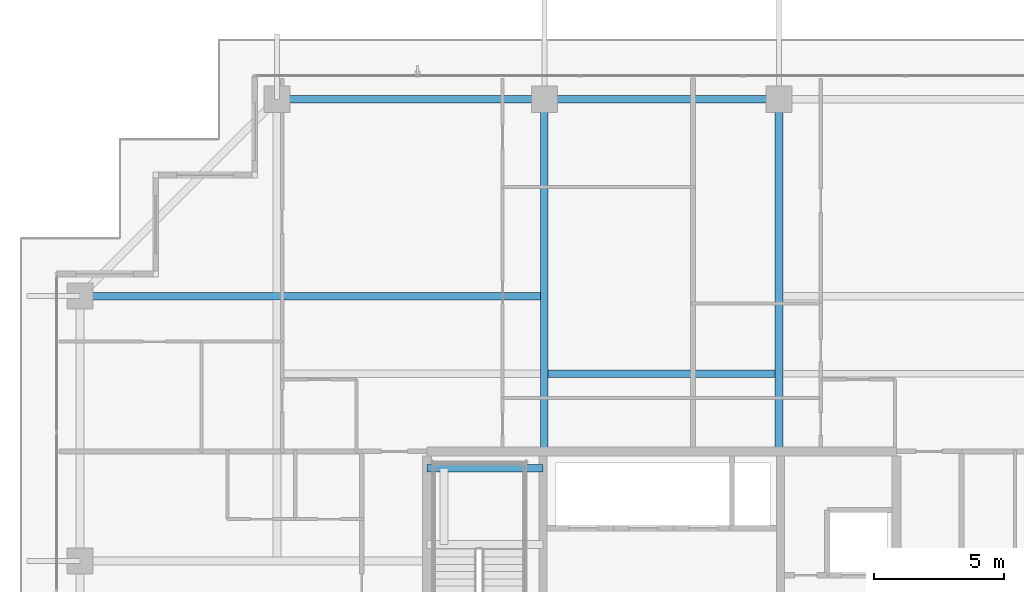
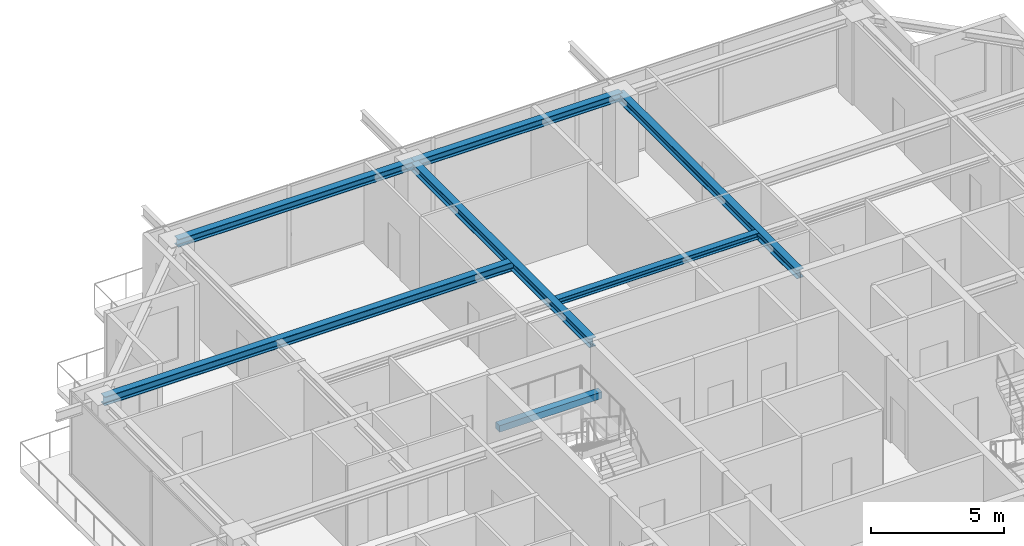
# One storey, part 22 of 42: 7 beams.
"""IFC4 building model written with IfcOpenShell, lengths in metres."""

from ifc_helpers import new_model, si_unit, direction, frame, origin, origin_2d, place, context, subcontext, project, spatial, rectangle, i_section, extrude, source, transform, mapped, material, material_profile, profile_set, type_object, element, save


model = new_model("IFC4")

# Units and contexts
model_context = context("Model", 3, precision=1e-05, world=origin(), true_north=direction((0.0, 1.0)))
body_context = subcontext(model_context, "Body", "Model", "MODEL_VIEW")
ifc_project = project(units=[si_unit("LENGTHUNIT", "METRE"), si_unit("AREAUNIT", "SQUARE_METRE"), si_unit("VOLUMEUNIT", "CUBIC_METRE"), si_unit("PLANEANGLEUNIT", "RADIAN"), si_unit("MASSUNIT", "GRAM", prefix="KILO")], contexts=[model_context])

# Site, building, storey
site_placement = place(None, origin())
site = spatial("IfcSite", under=ifc_project, at=site_placement, CompositionType="ELEMENT")
building_placement = place(site_placement, origin())
building = spatial("IfcBuilding", under=site, at=building_placement, Name="Serunith Strait Residences", CompositionType="ELEMENT")
storey_placement = place(building_placement, frame((0.0, 0.0, 325.85009765625)))
storey = spatial("IfcBuildingStorey", under=building, at=storey_placement, Name="L81", CompositionType="ELEMENT", Elevation=325.85009765625)

# Beams
ifc_material_1 = material(Name="Steel S355J2", Category="steel")
ifc_material_profile_1 = material_profile(ifc_material_1, i_section(OverallWidth=0.280029296875, OverallDepth=0.280029296875, WebThickness=0.010498046875, FlangeThickness=0.01806640625, FilletRadius=0.02392578125, at=origin_2d()), Name="HEB 280")
ifc_profile_set_1 = profile_set([ifc_material_profile_1], Name="Steel S355J2")
beam_type_1 = type_object("IfcBeamType", Name="BM-HEB280", PredefinedType="JOIST", material=ifc_profile_set_1)
shared_shape_1 = source(origin(), body_context, "Body", "SweptSolid", [
    extrude(i_section(OverallWidth=0.280029296875, OverallDepth=0.280029296875, WebThickness=0.010498046875, FlangeThickness=0.01806640625, FilletRadius=0.02392578125, at=origin_2d()), origin(), (0.0, 0.0, 1.0), 8.699951171875),
])
beam_1_placement = place(storey_placement, frame((28.050048828125, 36.574951171875, 3.64697265625), z_axis=(1.0, 0.0, 0.0), x_axis=(0.0, 1.0, 0.0)))
element("IfcBeam", 1, at=beam_1_placement, inside=storey, type_object=beam_type_1, Name="L81 Composite Floor Joist 05", PredefinedType="JOIST", context=body_context, shape_type="MappedRepresentation", body=[
    mapped(shared_shape_1, transform((0.0, 0.0, 0.0), scale=1.0)),
])
ifc_material_profile_2 = material_profile(ifc_material_1, i_section(OverallWidth=0.300048828125, OverallDepth=0.39990234375, WebThickness=0.013427734375, FlangeThickness=0.02392578125, FilletRadius=0.027099609375, at=origin_2d()), Name="HEB 400")
ifc_profile_set_2 = profile_set([ifc_material_profile_2], Name="Steel S355J2")
beam_type_2 = type_object("IfcBeamType", Name="BM-HEB400", PredefinedType="BEAM", material=ifc_profile_set_2)
shared_shape_2 = source(origin(), body_context, "Body", "SweptSolid", [
    extrude(i_section(OverallWidth=0.300048828125, OverallDepth=0.39990234375, WebThickness=0.013427734375, FlangeThickness=0.02392578125, FilletRadius=0.027099609375, at=origin_2d()), origin(), (0.0, 0.0, 1.0), 13.5),
])
for number, where, z_axis, x_axis, name in (
    (2, (27.89990234375, 33.60009765625, 3.5869140625), (0.0, 1.0, 0.0), (-1.0, 0.0, 0.0), "L81 Primary Floor Girder TC-N2"),
    (3, (36.89990234375, 33.60009765625, 3.5869140625), (0.0, 1.0, 0.0), (-1.0, 0.0, 0.0), "L81 Primary Floor Girder TC-N3"),
):
    element("IfcBeam", number, at=place(storey_placement, frame(where, z_axis=z_axis, x_axis=x_axis)), inside=storey, type_object=beam_type_2, Name=name, PredefinedType="BEAM", context=body_context, shape_type="MappedRepresentation", body=[
        mapped(shared_shape_2, transform((0.0, 0.0, 0.0), scale=1.0)),
    ])
shared_shape_3 = source(origin(), body_context, "Body", "SweptSolid", [
    extrude(i_section(OverallWidth=0.300048828125, OverallDepth=0.39990234375, WebThickness=0.013427734375, FlangeThickness=0.02392578125, FilletRadius=0.027099609375, at=origin_2d()), origin(), (0.0, 0.0, 1.0), 17.7998046875),
])
beam_2_placement = place(storey_placement, frame((27.89990234375, 39.550048828125, 3.5869140625), z_axis=(-1.0, 0.0, 0.0), x_axis=(0.0, -1.0, 0.0)))
element("IfcBeam", 4, at=beam_2_placement, inside=storey, type_object=beam_type_2, Name="L81 Orthogonal Corner Girder TC-W4", PredefinedType="BEAM", context=body_context, shape_type="MappedRepresentation", body=[
    mapped(shared_shape_3, transform((0.0, 0.0, 0.0), scale=1.0)),
])
ifc_material_profile_3 = material_profile(ifc_material_1, i_section(OverallWidth=0.300048828125, OverallDepth=0.360107421875, WebThickness=0.012451171875, FlangeThickness=0.0224609375, FilletRadius=0.027099609375, at=origin_2d()), Name="HEB 360")
ifc_profile_set_3 = profile_set([ifc_material_profile_3], Name="Steel S355J2")
beam_type_3 = type_object("IfcBeamType", Name="BM-HEB360", PredefinedType="BEAM", material=ifc_profile_set_3)
shared_shape_4 = source(origin(), body_context, "Body", "SweptSolid", [
    extrude(i_section(OverallWidth=0.300048828125, OverallDepth=0.360107421875, WebThickness=0.012451171875, FlangeThickness=0.0224609375, FilletRadius=0.027099609375, at=origin_2d()), origin(), (0.0, 0.0, 1.0), 10.25),
])
beam_3_placement = place(storey_placement, frame((27.89990234375, 47.10009765625, 3.60693359375), z_axis=(-1.0, 0.0, 0.0), x_axis=(0.0, -1.0, 0.0)))
element("IfcBeam", 5, at=beam_3_placement, inside=storey, type_object=beam_type_3, Name="L81 Perimeter Ring Beam 11", PredefinedType="BEAM", context=body_context, shape_type="MappedRepresentation", body=[
    mapped(shared_shape_4, transform((0.0, 0.0, 0.0), scale=1.0)),
])
shared_shape_5 = source(origin(), body_context, "Body", "SweptSolid", [
    extrude(i_section(OverallWidth=0.300048828125, OverallDepth=0.360107421875, WebThickness=0.012451171875, FlangeThickness=0.0224609375, FilletRadius=0.027099609375, at=origin_2d()), origin(), (0.0, 0.0, 1.0), 9.0),
])
beam_4_placement = place(storey_placement, frame((36.89990234375, 47.10009765625, 3.60693359375), z_axis=(-1.0, 0.0, 0.0), x_axis=(0.0, -1.0, 0.0)))
element("IfcBeam", 6, at=beam_4_placement, inside=storey, type_object=beam_type_3, Name="L81 Perimeter Ring Beam 10", PredefinedType="BEAM", context=body_context, shape_type="MappedRepresentation", body=[
    mapped(shared_shape_5, transform((0.0, 0.0, 0.0), scale=1.0)),
])
ifc_material_2 = material(Name="Concrete C60/75", Category="concrete")
ifc_material_profile_4 = material_profile(ifc_material_2, rectangle(XDim=0.300048828125, YDim=0.300048828125, at=origin_2d()), Name="RC 300x300")
ifc_profile_set_4 = profile_set([ifc_material_profile_4], Name="Concrete C60/75")
beam_type_4 = type_object("IfcBeamType", Name="BM-LAND-300x300", PredefinedType="BEAM", material=ifc_profile_set_4)
shared_shape_6 = source(origin(), body_context, "Body", "SweptSolid", [
    extrude(rectangle(XDim=0.300048828125, YDim=0.300048828125, at=origin_2d()), origin(), (0.0, 0.0, 1.0), 4.4501953125),
])
beam_5_placement = place(storey_placement, frame((23.39990234375, 32.949951171875, 1.6748046875), z_axis=(1.0, 0.0, 0.0), x_axis=(0.0, 1.0, 0.0)))
element("IfcBeam", 7, at=beam_5_placement, inside=storey, type_object=beam_type_4, Name="L81 ST-1 Landing Support Beam 2", PredefinedType="BEAM", context=body_context, shape_type="MappedRepresentation", body=[
    mapped(shared_shape_6, transform((0.0, 0.0, 0.0), scale=1.0)),
])

save(model, "model.ifc")
